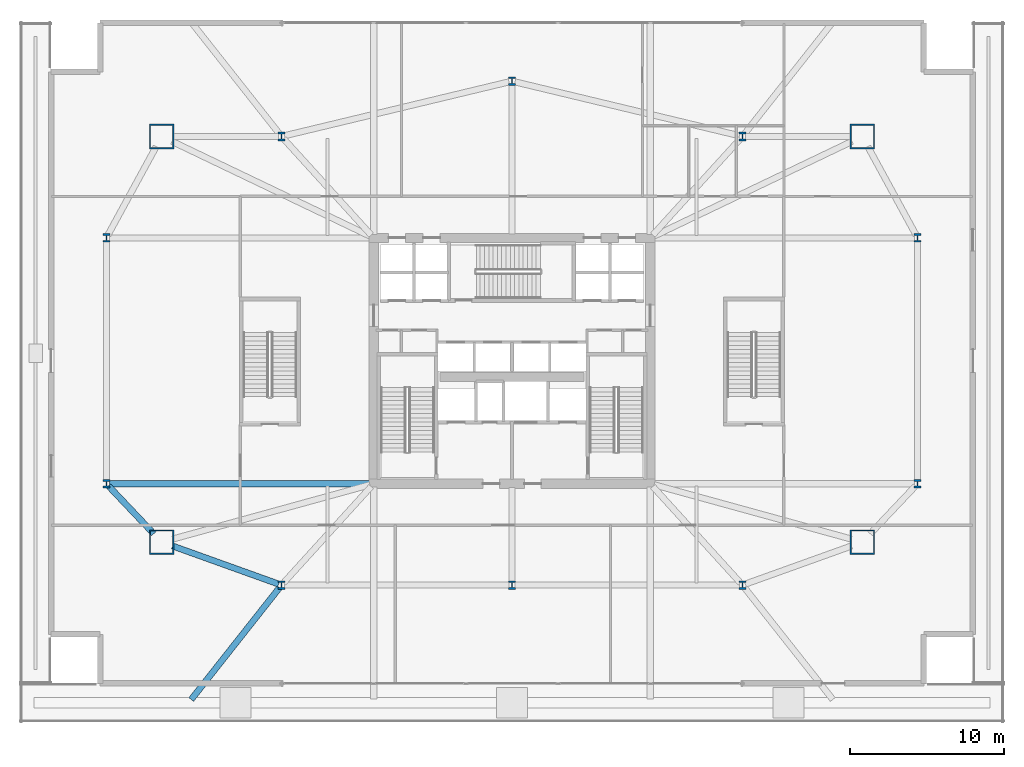
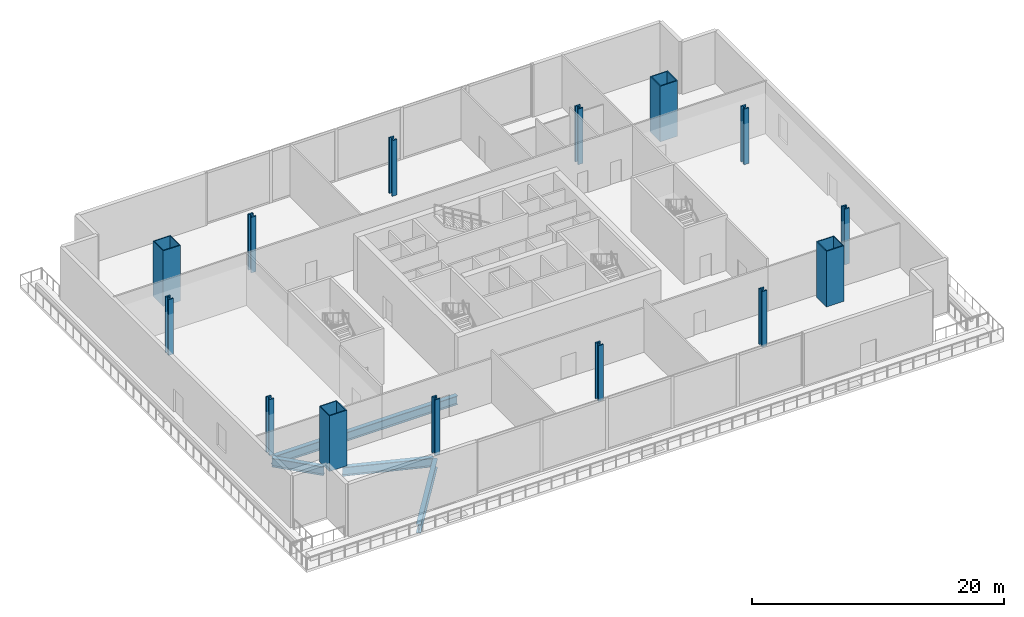
# One storey, part 1 of 20: 14 columns, 4 beams.
"""IFC4 building model written with IfcOpenShell, lengths in metres."""

from ifc_helpers import new_model, si_unit, direction, frame, origin, origin_2d, place, context, subcontext, project, spatial, hollow_rectangle, i_section, extrude, material, material_profile, profile_set, type_object, element, save


model = new_model("IFC4")

# Units and contexts
model_context = context("Model", 3, precision=1e-05, world=origin(), true_north=direction((0.0, 1.0)))
body_context = subcontext(model_context, "Body", "Model", "MODEL_VIEW")
ifc_project = project(units=[si_unit("LENGTHUNIT", "METRE"), si_unit("AREAUNIT", "SQUARE_METRE"), si_unit("VOLUMEUNIT", "CUBIC_METRE"), si_unit("PLANEANGLEUNIT", "RADIAN"), si_unit("MASSUNIT", "GRAM", prefix="KILO")], contexts=[model_context])

# Site, building, storey
site_placement = place(None, origin())
site = spatial("IfcSite", under=ifc_project, at=site_placement, CompositionType="ELEMENT")
building_placement = place(site_placement, origin())
building = spatial("IfcBuilding", under=site, at=building_placement, Name="Haldenkirk Collegiate Tower", CompositionType="ELEMENT")
storey_placement = place(building_placement, frame((0.0, 0.0, 6.0)))
storey = spatial("IfcBuildingStorey", under=building, at=storey_placement, Name="L01", CompositionType="ELEMENT", Elevation=6.0)

# Columns
ifc_material_1 = material(Name="Steel ASTM A913 Grade 65", Category="steel")
ifc_material_profile_1 = material_profile(ifc_material_1, i_section(OverallWidth=0.4541015625, OverallDepth=0.569091796875, WebThickness=0.077880859375, FlangeThickness=0.124755859375, at=origin_2d()), Name="W14X730")
ifc_profile_set_1 = profile_set([ifc_material_profile_1], Name="Steel ASTM A913 Grade 65")
column_type_1 = type_object("IfcColumnType", Name="COL-INT-W14X730", PredefinedType="COLUMN", material=ifc_profile_set_1)
for number, where, z_axis, x_axis, name in (
    (1, (9.60009765625, 18.0, 0.0), (0.0, 0.0, 1.0), (1.0, 0.0, 0.0), "L01 podium transfer support column PPC-W1"),
    (2, (9.60009765625, 34.0, 0.0), (0.0, 0.0, 1.0), (1.0, 0.0, 0.0), "L01 podium transfer support column PPC-W2"),
    (3, (62.39990234375, 18.0, 0.0), (0.0, 0.0, 1.0), (1.0, 0.0, 0.0), "L01 podium transfer support column PPC-E1"),
    (4, (62.39990234375, 34.0, 0.0), (0.0, 0.0, 1.0), (1.0, 0.0, 0.0), "L01 podium transfer support column PPC-E2"),
    (5, (21.0, 11.39990234375, 0.0), (0.0, 0.0, 1.0), (1.0, 0.0, 0.0), "L01 podium transfer support column PPC-S1"),
    (6, (51.0, 11.39990234375, 0.0), (0.0, 0.0, 1.0), (1.0, 0.0, 0.0), "L01 podium transfer support column PPC-S2"),
    (7, (21.0, 40.60009765625, 0.0), (0.0, 0.0, 1.0), (1.0, 0.0, 0.0), "L01 podium transfer support column PPC-N1"),
    (8, (51.0, 40.60009765625, 0.0), (0.0, 0.0, 1.0), (1.0, 0.0, 0.0), "L01 podium transfer support column PPC-N2"),
    (9, (36.0, 44.199951171875, 0.0), (0.0, 0.0, 1.0), (1.0, 0.0, 0.0), "L01 podium transfer support column PPC-N3"),
    (10, (36.0, 11.39990234375, 0.0), (0.0, 0.0, 1.0), (1.0, 0.0, 0.0), "L01 podium transfer support column PPC-S3"),
):
    element("IfcColumn", number, at=place(storey_placement, frame(where, z_axis=z_axis, x_axis=x_axis)), inside=storey, type_object=column_type_1, Name=name, PredefinedType="COLUMN", context=body_context, shape_type="SweptSolid", body=[
        extrude(i_section(OverallWidth=0.4541015625, OverallDepth=0.569091796875, WebThickness=0.077880859375, FlangeThickness=0.124755859375, at=origin_2d()), origin(), (0.0, 0.0, 1.0), 5.39990234375),
    ])
ifc_material_2 = material(Name="Steel ASTM A572 Grade 50", Category="steel")
ifc_material_profile_2 = material_profile(ifc_material_2, hollow_rectangle(XDim=1.60009765625, YDim=1.60009765625, WallThickness=0.080078125, at=origin_2d()), Name="BOX1600X1600X80")
ifc_profile_set_2 = profile_set([ifc_material_profile_2], Name="Steel ASTM A572 Grade 50")
column_type_2 = type_object("IfcColumnType", Name="COL-PODMEGA-BOX1600", PredefinedType="COLUMN", material=ifc_profile_set_2)
for number, where, z_axis, x_axis, name in (
    (11, (13.199951171875, 14.199951171875, 0.0), (0.0, 0.0, 1.0), (1.0, 0.0, 0.0), "L01 podium mega-column PMC-SW"),
    (12, (58.800048828125, 14.199951171875, 0.0), (0.0, 0.0, 1.0), (1.0, 0.0, 0.0), "L01 podium mega-column PMC-SE"),
    (13, (58.800048828125, 40.60009765625, 0.0), (0.0, 0.0, 1.0), (1.0, 0.0, 0.0), "L01 podium mega-column PMC-NE"),
    (14, (13.199951171875, 40.60009765625, 0.0), (0.0, 0.0, 1.0), (1.0, 0.0, 0.0), "L01 podium mega-column PMC-NW"),
):
    element("IfcColumn", number, at=place(storey_placement, frame(where, z_axis=z_axis, x_axis=x_axis)), inside=storey, type_object=column_type_2, Name=name, PredefinedType="COLUMN", context=body_context, shape_type="SweptSolid", body=[
        extrude(hollow_rectangle(XDim=1.60009765625, YDim=1.60009765625, WallThickness=0.080078125, at=origin_2d()), origin(), (0.0, 0.0, 1.0), 5.39990234375),
    ])

# Beams
ifc_material_3 = material(Name="Steel ASTM A992 Grade 50", Category="steel")
ifc_material_profile_3 = material_profile(ifc_material_3, i_section(OverallWidth=0.39990234375, OverallDepth=0.862060546875, WebThickness=0.019775390625, FlangeThickness=0.032470703125, at=origin_2d()), Name="W33X221")
ifc_profile_set_3 = profile_set([ifc_material_profile_3], Name="Steel ASTM A992 Grade 50")
beam_type = type_object("IfcBeamType", Name="BM-GIRDER-W33X221", PredefinedType="BEAM", material=ifc_profile_set_3)
beam_1_placement = place(storey_placement, frame((15.123779296875, 3.95703125, -0.760986328125), z_axis=(0.619664797767, 0.784866573634, 0.0), x_axis=(-0.784866573634, 0.619664797767, 0.0)))
element("IfcBeam", 15, at=beam_1_placement, inside=storey, type_object=beam_type, Name="L01 outer podium tie girder 01", PredefinedType="BEAM", context=body_context, shape_type="SweptSolid", body=[
    extrude(i_section(OverallWidth=0.39990234375, OverallDepth=0.862060546875, WebThickness=0.019775390625, FlangeThickness=0.032470703125, at=origin_2d()), origin(), (0.0, 0.0, 1.0), 9.262939453125),
])
beam_2_placement = place(storey_placement, frame((13.906005859375, 13.946533203125, -0.760986328125), z_axis=(0.941194128141, -0.337866265189, 0.0), x_axis=(0.337866265189, 0.941194128141, 0.0)))
element("IfcBeam", 16, at=beam_2_placement, inside=storey, type_object=beam_type, Name="L01 podium ring girder 01", PredefinedType="BEAM", context=body_context, shape_type="SweptSolid", body=[
    extrude(i_section(OverallWidth=0.39990234375, OverallDepth=0.862060546875, WebThickness=0.019775390625, FlangeThickness=0.032470703125, at=origin_2d()), origin(), (0.0, 0.0, 1.0), 7.337158203125),
])
beam_3_placement = place(storey_placement, frame((9.737548828125, 17.854736328125, -0.760986328125), z_axis=(0.687730422772, -0.725966160089, 0.0), x_axis=(0.725966160089, 0.687730422772, 0.0)))
element("IfcBeam", 17, at=beam_3_placement, inside=storey, type_object=beam_type, Name="L01 podium ring girder 14", PredefinedType="BEAM", context=body_context, shape_type="SweptSolid", body=[
    extrude(i_section(OverallWidth=0.39990234375, OverallDepth=0.862060546875, WebThickness=0.019775390625, FlangeThickness=0.032470703125, at=origin_2d()), origin(), (0.0, 0.0, 1.0), 4.284423828125),
])
beam_4_placement = place(storey_placement, frame((9.800048828125, 18.0, -0.760986328125), z_axis=(1.0, 0.0, 0.0), x_axis=(0.0, 1.0, 0.0)))
element("IfcBeam", 18, at=beam_4_placement, inside=storey, type_object=beam_type, Name="L01 podium radial girder 01", PredefinedType="BEAM", context=body_context, shape_type="SweptSolid", body=[
    extrude(i_section(OverallWidth=0.39990234375, OverallDepth=0.862060546875, WebThickness=0.019775390625, FlangeThickness=0.032470703125, at=origin_2d()), origin(), (0.0, 0.0, 1.0), 16.949951171875),
])

save(model, "model.ifc")
